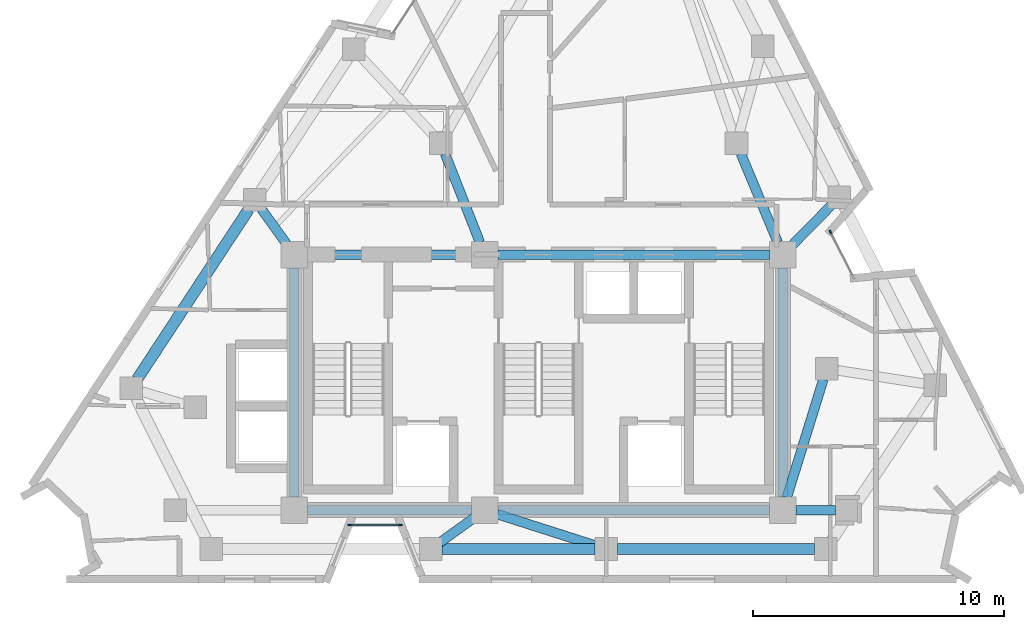
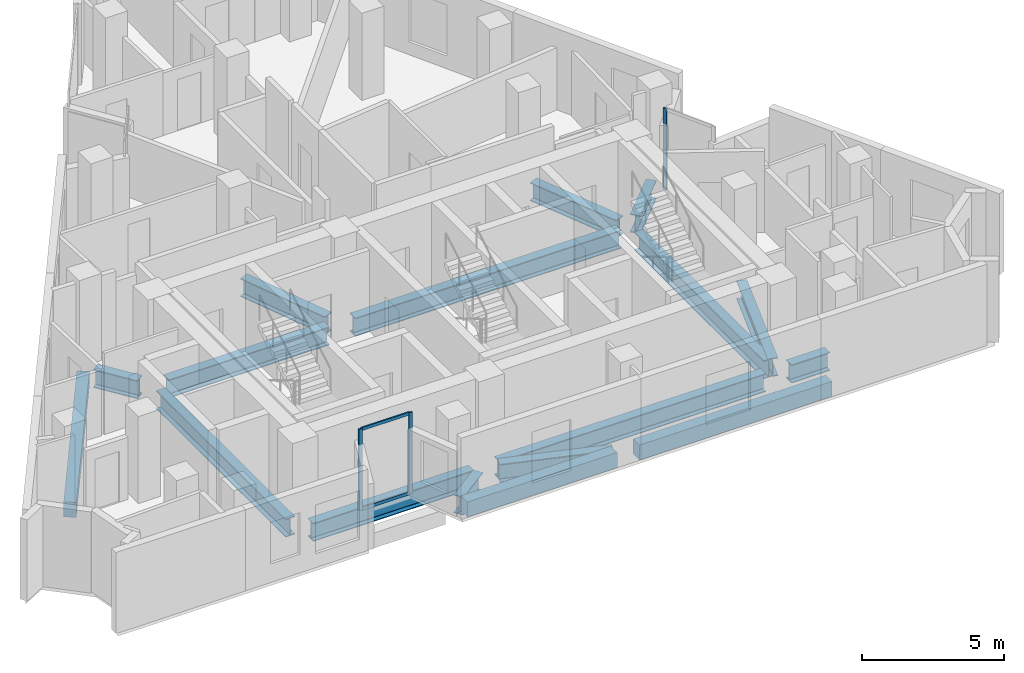
# One storey, part 2 of 10: 17 beams, 5 members, 2 elements without a shape of their own.
"""IFC4 building model written with IfcOpenShell, lengths in metres."""

from ifc_helpers import new_model, si_unit, direction, frame, origin, origin_2d, place, context, subcontext, project, spatial, rectangle, i_section, extrude, material, layer, layer_set, material_profile, profile_set, type_object, element, aggregate, save


model = new_model("IFC4")

# Units and contexts
model_context = context("Model", 3, precision=1e-05, world=origin(), true_north=direction((0.0, 1.0)))
body_context = subcontext(model_context, "Body", "Model", "MODEL_VIEW")
ifc_project = project(units=[si_unit("LENGTHUNIT", "METRE"), si_unit("AREAUNIT", "SQUARE_METRE"), si_unit("VOLUMEUNIT", "CUBIC_METRE"), si_unit("PLANEANGLEUNIT", "RADIAN"), si_unit("MASSUNIT", "GRAM", prefix="KILO")], contexts=[model_context])

# Site, building, storey
site_placement = place(None, origin())
site = spatial("IfcSite", under=ifc_project, at=site_placement, CompositionType="ELEMENT")
building_placement = place(site_placement, origin())
building = spatial("IfcBuilding", under=site, at=building_placement, Name="Almagre Mirador Tower", CompositionType="ELEMENT")
storey_placement = place(building_placement, frame((0.0, 0.0, 233.25)))
storey = spatial("IfcBuildingStorey", under=building, at=storey_placement, Name="L60", CompositionType="ELEMENT", Elevation=233.25)

# Beams
ifc_material_1 = material(Name="Precast concrete C50/60", Category="concrete")
ifc_material_profile_1 = material_profile(ifc_material_1, rectangle(XDim=0.449951171875, YDim=0.64990234375, at=origin_2d()), Name="RC450X650")
ifc_profile_set_1 = profile_set([ifc_material_profile_1], Name="Precast concrete C50/60")
beam_type_1 = type_object("IfcBeamType", Name="BM-SPN-RC450X650", PredefinedType="SPANDREL", material=ifc_profile_set_1)
beam_1_placement = place(storey_placement, frame((33.446044921875, 3.0, -0.574951171875), z_axis=(1.0, 0.0, 0.0), x_axis=(0.0, 1.0, 0.0)))
element("IfcBeam", 1, at=beam_1_placement, inside=storey, type_object=beam_type_1, Name="L60 perimeter spandrel beam PC02-PC03", PredefinedType="SPANDREL", context=body_context, shape_type="SweptSolid", body=[
    extrude(rectangle(XDim=0.449951171875, YDim=0.64990234375, at=origin_2d()), origin(), (0.0, 0.0, 1.0), 6.10791015625),
])
beam_2_placement = place(storey_placement, frame((40.4541015625, 3.0, -0.574951171875), z_axis=(1.0, 0.0, 0.0), x_axis=(0.0, 1.0, 0.0)))
element("IfcBeam", 2, at=beam_2_placement, inside=storey, type_object=beam_type_1, Name="L60 perimeter spandrel beam PC03-PC04", PredefinedType="SPANDREL", context=body_context, shape_type="SweptSolid", body=[
    extrude(rectangle(XDim=0.449951171875, YDim=0.64990234375, at=origin_2d()), origin(), (0.0, 0.0, 1.0), 7.85986328125),
])
beam_3_placement = place(storey_placement, frame((25.72998046875, 16.556884765625, -0.574951171875), z_axis=(-0.54903769876, -0.835797586345, 0.0), x_axis=(0.835797586345, -0.54903769876, 0.0)))
element("IfcBeam", 3, at=beam_3_placement, inside=storey, type_object=beam_type_1, Name="L60 perimeter spandrel beam PC11-PC12", PredefinedType="SPANDREL", context=body_context, shape_type="SweptSolid", body=[
    extrude(rectangle(XDim=0.449951171875, YDim=0.64990234375, at=origin_2d()), origin(), (0.0, 0.0, 1.0), 8.097412109375),
])
ifc_material_2 = material(Name="Steel ASTM A992 Grade 50", Category="steel")
ifc_material_profile_2 = material_profile(ifc_material_2, i_section(OverallWidth=0.384033203125, OverallDepth=0.784912109375, WebThickness=0.019775390625, FlangeThickness=0.033447265625, FilletRadius=0.02392578125, at=origin_2d()), Name="W30X211")
ifc_profile_set_2 = profile_set([ifc_material_profile_2], Name="Steel ASTM A992 Grade 50")
beam_type_2 = type_object("IfcBeamType", Name="BM-STL-W30X211", PredefinedType="BEAM", material=ifc_profile_set_2)
beam_4_placement = place(storey_placement, frame((28.074951171875, 4.550048828125, -0.642578125), z_axis=(1.0, 0.0, 0.0), x_axis=(0.0, 1.0, 0.0)))
element("IfcBeam", 4, at=beam_4_placement, inside=storey, type_object=beam_type_2, Name="L60 core tie girder CC1-CC2", PredefinedType="BEAM", context=body_context, shape_type="SweptSolid", body=[
    extrude(i_section(OverallWidth=0.384033203125, OverallDepth=0.784912109375, WebThickness=0.019775390625, FlangeThickness=0.033447265625, FilletRadius=0.02392578125, at=origin_2d()), origin(), (0.0, 0.0, 1.0), 6.550048828125),
])
beam_5_placement = place(storey_placement, frame((35.675048828125, 4.550048828125, -0.642578125), z_axis=(1.0, 0.0, 0.0), x_axis=(0.0, 1.0, 0.0)))
element("IfcBeam", 5, at=beam_5_placement, inside=storey, type_object=beam_type_2, Name="L60 core tie girder CC2-CC3", PredefinedType="BEAM", context=body_context, shape_type="SweptSolid", body=[
    extrude(i_section(OverallWidth=0.384033203125, OverallDepth=0.784912109375, WebThickness=0.019775390625, FlangeThickness=0.033447265625, FilletRadius=0.02392578125, at=origin_2d()), origin(), (0.0, 0.0, 1.0), 10.849853515625),
])
beam_6_placement = place(storey_placement, frame((28.074951171875, 14.75, -0.642578125), z_axis=(1.0, 0.0, 0.0), x_axis=(0.0, 1.0, 0.0)))
element("IfcBeam", 6, at=beam_6_placement, inside=storey, type_object=beam_type_2, Name="L60 core tie girder CC4-CC5", PredefinedType="BEAM", context=body_context, shape_type="SweptSolid", body=[
    extrude(i_section(OverallWidth=0.384033203125, OverallDepth=0.784912109375, WebThickness=0.019775390625, FlangeThickness=0.033447265625, FilletRadius=0.02392578125, at=origin_2d()), origin(), (0.0, 0.0, 1.0), 6.550048828125),
])
beam_7_placement = place(storey_placement, frame((35.675048828125, 14.75, -0.642578125), z_axis=(1.0, 0.0, 0.0), x_axis=(0.0, 1.0, 0.0)))
element("IfcBeam", 7, at=beam_7_placement, inside=storey, type_object=beam_type_2, Name="L60 core tie girder CC5-CC6", PredefinedType="BEAM", context=body_context, shape_type="SweptSolid", body=[
    extrude(i_section(OverallWidth=0.384033203125, OverallDepth=0.784912109375, WebThickness=0.019775390625, FlangeThickness=0.033447265625, FilletRadius=0.02392578125, at=origin_2d()), origin(), (0.0, 0.0, 1.0), 10.849853515625),
])
for number, where, z_axis, x_axis, name in (
    (8, (27.550048828125, 5.074951171875, -0.642578125), (0.0, 1.0, 0.0), (-1.0, 0.0, 0.0), "L60 core tie girder CC1-CC4"),
    (9, (47.050048828125, 5.074951171875, -0.642578125), (0.0, 1.0, 0.0), (-1.0, 0.0, 0.0), "L60 core tie girder CC3-CC6"),
):
    element("IfcBeam", number, at=place(storey_placement, frame(where, z_axis=z_axis, x_axis=x_axis)), inside=storey, type_object=beam_type_2, Name=name, PredefinedType="BEAM", context=body_context, shape_type="SweptSolid", body=[
        extrude(i_section(OverallWidth=0.384033203125, OverallDepth=0.784912109375, WebThickness=0.019775390625, FlangeThickness=0.033447265625, FilletRadius=0.02392578125, at=origin_2d()), origin(), (0.0, 0.0, 1.0), 9.150146484375),
    ])
beam_8_placement = place(storey_placement, frame((49.14990234375, 4.550048828125, -0.642578125), z_axis=(-1.0, 0.0, 0.0), x_axis=(0.0, -1.0, 0.0)))
element("IfcBeam", 10, at=beam_8_placement, inside=storey, type_object=beam_type_2, Name="L60 core tie girder MC2-CC3", PredefinedType="BEAM", context=body_context, shape_type="SweptSolid", body=[
    extrude(i_section(OverallWidth=0.384033203125, OverallDepth=0.784912109375, WebThickness=0.019775390625, FlangeThickness=0.033447265625, FilletRadius=0.02392578125, at=origin_2d()), origin(), (0.0, 0.0, 1.0), 1.574951171875),
])
beam_9_placement = place(storey_placement, frame((48.6669921875, 9.77001953125, -0.642578125), z_axis=(-0.295901717967, -0.955218390372, 0.0), x_axis=(0.955218390372, -0.295901717967, 0.0)))
element("IfcBeam", 11, at=beam_9_placement, inside=storey, type_object=beam_type_2, Name="L60 core tie girder MC3-CC3", PredefinedType="BEAM", context=body_context, shape_type="SweptSolid", body=[
    extrude(i_section(OverallWidth=0.384033203125, OverallDepth=0.784912109375, WebThickness=0.019775390625, FlangeThickness=0.033447265625, FilletRadius=0.02392578125, at=origin_2d()), origin(), (0.0, 0.0, 1.0), 4.939697265625),
])
beam_10_placement = place(storey_placement, frame((45.372802734375, 18.784423828125, -0.642578125), z_axis=(0.383862140668, -0.923390414159, 0.0), x_axis=(0.923390414159, 0.383862140668, 0.0)))
element("IfcBeam", 12, at=beam_10_placement, inside=storey, type_object=beam_type_2, Name="L60 core tie girder MC5-CC6", PredefinedType="BEAM", context=body_context, shape_type="SweptSolid", body=[
    extrude(i_section(OverallWidth=0.384033203125, OverallDepth=0.784912109375, WebThickness=0.019775390625, FlangeThickness=0.033447265625, FilletRadius=0.02392578125, at=origin_2d()), origin(), (0.0, 0.0, 1.0), 3.843994140625),
])
beam_11_placement = place(storey_placement, frame((33.564697265625, 18.78125, -0.642578125), z_axis=(0.365999579355, -0.93061501595, 0.0), x_axis=(0.93061501595, 0.365999579355, 0.0)))
element("IfcBeam", 13, at=beam_11_placement, inside=storey, type_object=beam_type_2, Name="L60 core tie girder MC8-CC5", PredefinedType="BEAM", context=body_context, shape_type="SweptSolid", body=[
    extrude(i_section(OverallWidth=0.384033203125, OverallDepth=0.784912109375, WebThickness=0.019775390625, FlangeThickness=0.033447265625, FilletRadius=0.02392578125, at=origin_2d()), origin(), (0.0, 0.0, 1.0), 3.806884765625),
])
beam_12_placement = place(storey_placement, frame((33.361328125, 3.2626953125, -0.642578125), z_axis=(0.81162535726, 0.584178294233, 0.0), x_axis=(-0.584178294233, 0.81162535726, 0.0)))
element("IfcBeam", 14, at=beam_12_placement, inside=storey, type_object=beam_type_2, Name="L60 radial floor girder PC02-CC2", PredefinedType="BEAM", context=body_context, shape_type="SweptSolid", body=[
    extrude(i_section(OverallWidth=0.384033203125, OverallDepth=0.784912109375, WebThickness=0.019775390625, FlangeThickness=0.033447265625, FilletRadius=0.02392578125, at=origin_2d()), origin(), (0.0, 0.0, 1.0), 1.6787109375),
])
beam_13_placement = place(storey_placement, frame((39.5751953125, 3.136962890625, -0.642578125), z_axis=(-0.952606979741, 0.304203783914, 0.0), x_axis=(-0.304203783914, -0.952606979741, 0.0)))
element("IfcBeam", 15, at=beam_13_placement, inside=storey, type_object=beam_type_2, Name="L60 radial floor girder PC03-CC2", PredefinedType="BEAM", context=body_context, shape_type="SweptSolid", body=[
    extrude(i_section(OverallWidth=0.384033203125, OverallDepth=0.784912109375, WebThickness=0.019775390625, FlangeThickness=0.033447265625, FilletRadius=0.02392578125, at=origin_2d()), origin(), (0.0, 0.0, 1.0), 4.120361328125),
])
beam_14_placement = place(storey_placement, frame((48.99267578125, 16.72802734375, -0.642578125), z_axis=(-0.700668518121, -0.713486949925, 0.0), x_axis=(0.713486949925, -0.700668518121, 0.0)))
element("IfcBeam", 16, at=beam_14_placement, inside=storey, type_object=beam_type_2, Name="L60 radial floor girder PC06-CC6", PredefinedType="BEAM", context=body_context, shape_type="SweptSolid", body=[
    extrude(i_section(OverallWidth=0.384033203125, OverallDepth=0.784912109375, WebThickness=0.019775390625, FlangeThickness=0.033447265625, FilletRadius=0.02392578125, at=origin_2d()), origin(), (0.0, 0.0, 1.0), 2.247314453125),
])
beam_15_placement = place(storey_placement, frame((26.239990234375, 16.56787109375, -0.642578125), z_axis=(0.584638267921, -0.81129408705, 0.0), x_axis=(0.81129408705, 0.584638267921, 0.0)))
element("IfcBeam", 17, at=beam_15_placement, inside=storey, type_object=beam_type_2, Name="L60 radial floor girder PC11-CC4", PredefinedType="BEAM", context=body_context, shape_type="SweptSolid", body=[
    extrude(i_section(OverallWidth=0.384033203125, OverallDepth=0.784912109375, WebThickness=0.019775390625, FlangeThickness=0.033447265625, FilletRadius=0.02392578125, at=origin_2d()), origin(), (0.0, 0.0, 1.0), 1.7158203125),
])

# Curtain wall, member
ifc_material_3 = material(Name="Black anodized aluminium", Category="aluminium")
ifc_layer = layer(ifc_material_3, 0.169921875)
ifc_layer_set = layer_set([ifc_layer], Name="Black anodized aluminium")
curtain_wall_type = type_object("IfcCurtainWallType", Name="CW-CRS-SYS", PredefinedType="NOTDEFINED", material=ifc_layer_set)
curtain_wall_1_placement = place(storey_placement, origin())
curtain_wall_1 = element("IfcCurtainWall", 18, at=curtain_wall_1_placement, inside=storey, type_object=curtain_wall_type, Name="L60 vertical crease curtain wall 03", PredefinedType="NOTDEFINED")
ifc_material_4 = material(Name="Black anodized aluminium", Category="aluminium")
ifc_material_profile_3 = material_profile(ifc_material_4, rectangle(XDim=0.06005859375, YDim=0.14990234375, at=origin_2d()), Name="CWM60X150")
ifc_profile_set_3 = profile_set([ifc_material_profile_3], Name="Black anodized aluminium")
member_type_1 = type_object("IfcMemberType", Name="MBR-CWM60X150", PredefinedType="MULLION", material=ifc_profile_set_3)
member_1_placement = place(storey_placement, frame((48.94970703125, 15.65625, 0.0), z_axis=(0.0, 0.0, 1.0), x_axis=(0.891440826217, 0.453137124227, 0.0)))
member_1 = element("IfcMember", 19, at=member_1_placement, type_object=member_type_1, Name="CW-4 mullion 1", PredefinedType="MULLION", context=body_context, shape_type="SweptSolid", body=[
    extrude(rectangle(XDim=0.06005859375, YDim=0.14990234375, at=origin_2d()), origin(), (0.0, 0.0, 1.0), 3.5),
])
aggregate(curtain_wall_1, [member_1])

# Curtain wall, members
curtain_wall_2_placement = place(storey_placement, origin())
curtain_wall_2 = element("IfcCurtainWall", 20, at=curtain_wall_2_placement, inside=storey, type_object=curtain_wall_type, Name="L60 vertical crease curtain wall 04", PredefinedType="NOTDEFINED")
member_2_placement = place(storey_placement, frame((31.787109375, 3.949951171875, 0.0), z_axis=(0.0, 0.0, 1.0), x_axis=(0.0, -1.0, 0.0)))
member_2 = element("IfcMember", 21, at=member_2_placement, type_object=member_type_1, Name="CW-4 mullion 1", PredefinedType="MULLION", context=body_context, shape_type="SweptSolid", body=[
    extrude(rectangle(XDim=0.06005859375, YDim=0.14990234375, at=origin_2d()), origin(), (0.0, 0.0, 1.0), 3.5),
])
member_3_placement = place(storey_placement, frame((29.757080078125, 3.949951171875, 0.0), z_axis=(0.0, 0.0, 1.0), x_axis=(0.0, -1.0, 0.0)))
member_3 = element("IfcMember", 22, at=member_3_placement, type_object=member_type_1, Name="CW-4 mullion 2", PredefinedType="MULLION", context=body_context, shape_type="SweptSolid", body=[
    extrude(rectangle(XDim=0.06005859375, YDim=0.14990234375, at=origin_2d()), origin(), (0.0, 0.0, 1.0), 3.5),
])
ifc_material_5 = material(Name="Black anodized aluminium", Category="aluminium")
ifc_material_profile_4 = material_profile(ifc_material_5, rectangle(XDim=0.06005859375, YDim=0.1298828125, at=origin_2d()), Name="CWT60X130")
ifc_profile_set_4 = profile_set([ifc_material_profile_4], Name="Black anodized aluminium")
member_type_2 = type_object("IfcMemberType", Name="MBR-CWT60X130", PredefinedType="USERDEFINED", material=ifc_profile_set_4)
member_4_placement = place(storey_placement, frame((31.757080078125, 3.949951171875, 0.030029296875), z_axis=(-1.0, 0.0, 0.0), x_axis=(0.0, -1.0, 0.0)))
member_4 = element("IfcMember", 23, at=member_4_placement, type_object=member_type_2, Name="CW-4 transom 1.1", ObjectType="TRANSOM", PredefinedType="USERDEFINED", context=body_context, shape_type="SweptSolid", body=[
    extrude(rectangle(XDim=0.06005859375, YDim=0.1298828125, at=origin_2d()), origin(), (0.0, 0.0, 1.0), 1.969970703125),
])
member_5_placement = place(storey_placement, frame((31.757080078125, 3.949951171875, 3.469970703125), z_axis=(-1.0, 0.0, 0.0), x_axis=(0.0, -1.0, 0.0)))
member_5 = element("IfcMember", 24, at=member_5_placement, type_object=member_type_2, Name="CW-4 transom 1.2", ObjectType="TRANSOM", PredefinedType="USERDEFINED", context=body_context, shape_type="SweptSolid", body=[
    extrude(rectangle(XDim=0.06005859375, YDim=0.1298828125, at=origin_2d()), origin(), (0.0, 0.0, 1.0), 1.969970703125),
])
aggregate(curtain_wall_2, [member_2, member_3, member_4, member_5])

save(model, "model.ifc")
